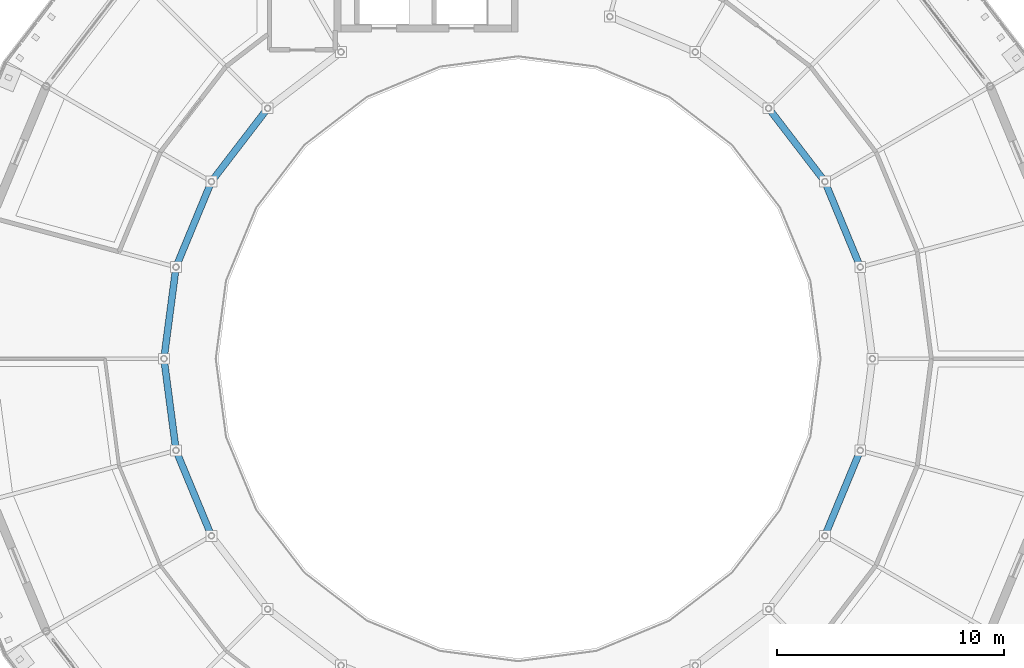
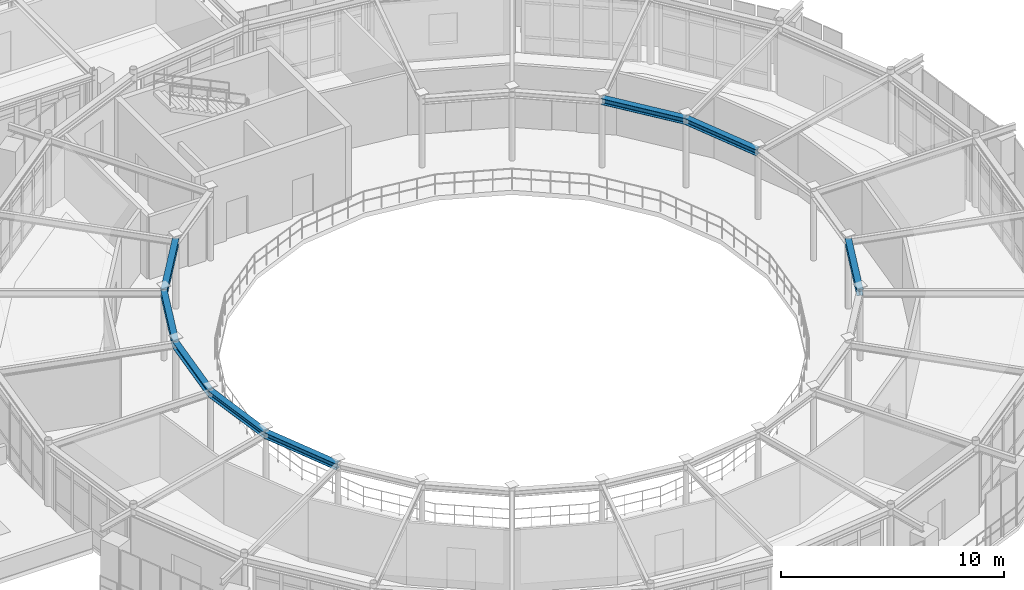
# One storey, part 25 of 70: 8 beams.
"""IFC4 building model written with IfcOpenShell, lengths in metres."""

from ifc_helpers import new_model, si_unit, derived_unit, direction, frame, origin, origin_2d, place, context, subcontext, project, spatial, i_section, extrude, material, material_profile, profile_set, type_object, element, save


model = new_model("IFC4")

# Units and contexts
model_context = context("Model", 3, precision=1e-05, world=origin(), true_north=direction((0.0, 1.0)))
body_context = subcontext(model_context, "Body", "Model", "MODEL_VIEW")
ifc_project = project(units=[si_unit("LENGTHUNIT", "METRE"), si_unit("AREAUNIT", "SQUARE_METRE"), si_unit("VOLUMEUNIT", "CUBIC_METRE"), si_unit("PLANEANGLEUNIT", "RADIAN"), si_unit("MASSUNIT", "GRAM", prefix="KILO"), derived_unit("THERMALTRANSMITTANCEUNIT", [(si_unit("POWERUNIT", "WATT"), 1), (si_unit("AREAUNIT", "SQUARE_METRE"), -1), (si_unit("THERMODYNAMICTEMPERATUREUNIT", "KELVIN"), -1)])], contexts=[model_context])

# Site, building, storey
site_placement = place(None, origin())
site = spatial("IfcSite", under=ifc_project, at=site_placement, CompositionType="ELEMENT")
building_placement = place(site_placement, origin())
building = spatial("IfcBuilding", under=site, at=building_placement, Name="Yasenodar Specialist Clinic", CompositionType="ELEMENT")
storey_placement = place(building_placement, frame((0.0, 0.0, 13.199951171875)))
storey = spatial("IfcBuildingStorey", under=building, at=storey_placement, Name="L03", CompositionType="ELEMENT", Elevation=13.199951171875)

# Beams
ifc_material = material(Name="Steel S355", Category="steel")
ifc_material_profile = material_profile(ifc_material, i_section(OverallWidth=0.300048828125, OverallDepth=0.330078125, WebThickness=0.009521484375, FlangeThickness=0.0166015625, FilletRadius=0.027099609375, at=origin_2d()), Name="HEA 340")
ifc_profile_set = profile_set([ifc_material_profile], Name="Steel S355")
beam_type = type_object("IfcBeamType", Name="BM-HEA340", PredefinedType="BEAM", material=ifc_profile_set)
beam_placement = place(storey_placement, frame((96.068359375, 62.837646484375, 3.635009765625), z_axis=(-0.382660650645, 0.92388896868, 0.0), x_axis=(-0.92388896868, -0.382660650645, 0.0)))
element("IfcBeam", 1, at=beam_placement, inside=storey, type_object=beam_type, Name="L03 Drum V1 Inner Ring Beam", PredefinedType="BEAM", context=body_context, shape_type="SweptSolid", body=[
    extrude(i_section(OverallWidth=0.300048828125, OverallDepth=0.330078125, WebThickness=0.009521484375, FlangeThickness=0.0166015625, FilletRadius=0.027099609375, at=origin_2d()), origin(), (0.0, 0.0, 1.0), 4.072509765625),
])
for number, where, z_axis, x_axis, name in (
    (2, (94.510009765625, 66.60009765625, 3.635009765625), (-0.60875999388, 0.793354441502, 0.0), (-0.793354441502, -0.60875999388, 0.0), "L03 Drum V1 Inner Ring Beam"),
    (3, (69.968994140625, 69.830810546875, 3.635009765625), (-0.60875999388, -0.793354441502, 0.0), (0.793354441502, -0.60875999388, 0.0), "L03 Drum V1 Inner Ring Beam"),
):
    element("IfcBeam", number, at=place(storey_placement, frame(where, z_axis=z_axis, x_axis=x_axis)), inside=storey, type_object=beam_type, Name=name, PredefinedType="BEAM", context=body_context, shape_type="SweptSolid", body=[
        extrude(i_section(OverallWidth=0.300048828125, OverallDepth=0.330078125, WebThickness=0.009521484375, FlangeThickness=0.0166015625, FilletRadius=0.027099609375, at=origin_2d()), origin(), (0.0, 0.0, 1.0), 4.072265625),
    ])
for number, where, z_axis, x_axis, name in (
    (4, (67.489990234375, 66.60009765625, 3.635009765625), (-0.382660650645, -0.92388896868, 0.0), (0.92388896868, -0.382660650645, 0.0), "L03 Drum V1 Inner Ring Beam"),
    (5, (65.931640625, 62.837646484375, 3.635009765625), (-0.130569268018, -0.991439189385, 0.0), (0.991439189385, -0.130569268018, 0.0), "L03 Drum V1 Inner Ring Beam"),
    (6, (65.39990234375, 58.800048828125, 3.635009765625), (0.130569268018, -0.991439189385, 0.0), (0.991439189385, 0.130569268018, 0.0), "L03 Drum V1 Inner Ring Beam"),
    (7, (65.931640625, 54.762451171875, 3.635009765625), (0.382660650645, -0.92388896868, 0.0), (0.92388896868, 0.382660650645, 0.0), "L03 Drum V1 Inner Ring Beam"),
    (8, (94.510009765625, 51.0, 3.635009765625), (0.382660650645, 0.92388896868, 0.0), (-0.92388896868, 0.382660650645, 0.0), "L03 Drum V1 Inner Ring Beam"),
):
    element("IfcBeam", number, at=place(storey_placement, frame(where, z_axis=z_axis, x_axis=x_axis)), inside=storey, type_object=beam_type, Name=name, PredefinedType="BEAM", context=body_context, shape_type="SweptSolid", body=[
        extrude(i_section(OverallWidth=0.300048828125, OverallDepth=0.330078125, WebThickness=0.009521484375, FlangeThickness=0.0166015625, FilletRadius=0.027099609375, at=origin_2d()), origin(), (0.0, 0.0, 1.0), 4.072509765625),
    ])

save(model, "model.ifc")
